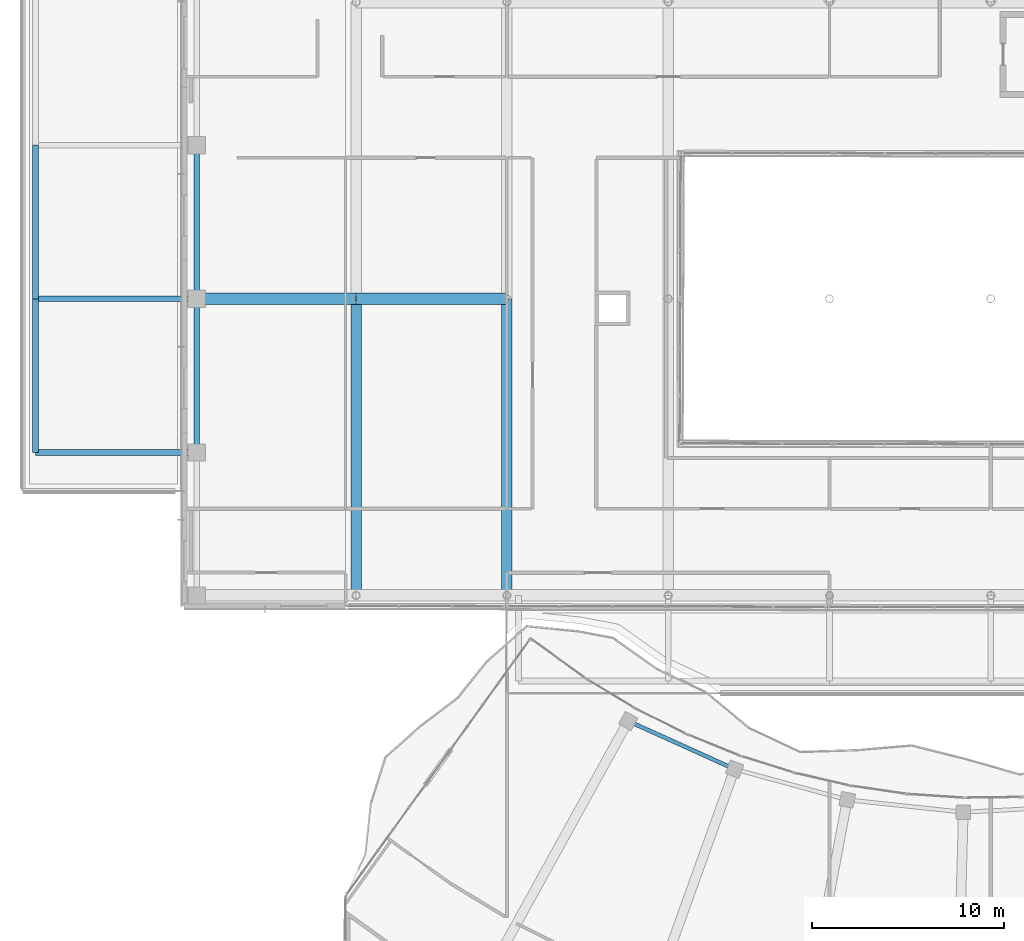
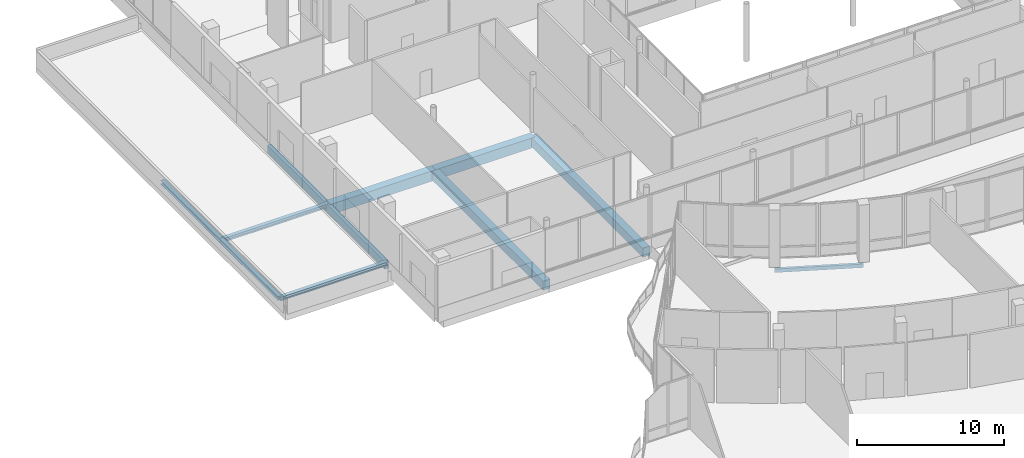
# One storey, part 30 of 168: 11 beams.
"""IFC4 building model written with IfcOpenShell, lengths in metres."""

import ifcopenshell
import ifcopenshell.guid

model = None  # the IFC model being written
_history = None  # IfcOwnerHistory: only IFC2X3 demands one
_inside = {}  # id of a spatial element -> (the spatial element, [elements in it])
_under = {}  # id of a project, library or spatial element -> (it, [spatial elements below it])
_declared = {}  # id of a project -> (the project, [libraries it declares])
_typed = {}  # id of a type object -> (the type object, [elements of that type])
_made_of = {}  # id of a material, layer set ... -> (it, [elements and type objects made of it])


def new_model(schema):
    """Start an empty IFC model of exactly this schema.

    Asked for "IFC4X3", IfcOpenShell would pick the latest addendum, in which some entities
    have other attributes; the version numbers below select the first issue.
    IFC2X3 requires an IfcOwnerHistory on every rooted entity: one is made here for all.
    """
    global model, _history
    if schema == "IFC4X3":
        model = ifcopenshell.file(schema_version=(4, 3, 0, 0))
    else:
        model = ifcopenshell.file(schema=schema)
    _inside.clear()
    _under.clear()
    _declared.clear()
    _typed.clear()
    _made_of.clear()
    _history = None
    if model.schema == "IFC2X3":
        org = make("IfcOrganization", Name="unknown")
        user = make(
            "IfcPersonAndOrganization",
            ThePerson=make("IfcPerson", FamilyName="unknown"),
            TheOrganization=org,
        )
        app = make(
            "IfcApplication",
            ApplicationDeveloper=org,
            Version="unknown",
            ApplicationFullName="unknown",
            ApplicationIdentifier="unknown",
        )
        _history = make(
            "IfcOwnerHistory",
            OwningUser=user,
            OwningApplication=app,
            ChangeAction="ADDED",
            CreationDate=0,
        )
    return model


def make(cls, **values):
    """One entity of the class cls with the attributes given. An attribute that is None is left unset."""
    return model.create_entity(
        cls, **{name: value for name, value in values.items() if value is not None}
    )


def rooted(cls, **values):
    """An entity with a GlobalId (a new one), such as an element, a storey or a relation."""
    return make(cls, GlobalId=ifcopenshell.guid.new(), OwnerHistory=_history, **values)


def si_unit(unit_type, name, prefix=None):
    """IfcSIUnit, for example si_unit("LENGTHUNIT", "METRE", prefix="MILLI")."""
    return make("IfcSIUnit", UnitType=unit_type, Prefix=prefix, Name=name)


def assignment(units):
    """IfcUnitAssignment: the units of a project."""
    return None if units is None else make("IfcUnitAssignment", Units=units)


def point(xyz):
    """IfcCartesianPoint."""
    return None if xyz is None else make("IfcCartesianPoint", Coordinates=xyz)


def direction(xyz):
    """IfcDirection."""
    return None if xyz is None else make("IfcDirection", DirectionRatios=xyz)


def frame(location, z_axis=None, x_axis=None):
    """IfcAxis2Placement3D, a coordinate frame: its origin and axes. An axis left out is left unset."""
    return make(
        "IfcAxis2Placement3D",
        Location=point(location),
        Axis=direction(z_axis),
        RefDirection=direction(x_axis),
    )


def frame_2d(location, x_axis=None):
    """IfcAxis2Placement2D, a coordinate frame in the plane: its origin and x axis."""
    return make(
        "IfcAxis2Placement2D", Location=point(location), RefDirection=direction(x_axis)
    )


def origin():
    """The frame at (0, 0, 0) with its axes left unset."""
    return frame((0.0, 0.0, 0.0))


def origin_2d():
    """The frame at (0, 0) in the plane with its x axis left unset."""
    return frame_2d((0.0, 0.0))


def place(relative_to, where):
    """IfcLocalPlacement: puts the frame where relative to a parent placement (None: the world)."""
    return make(
        "IfcLocalPlacement", PlacementRelTo=relative_to, RelativePlacement=where
    )


def context(
    kind, dimensions, precision=None, world=None, true_north=None, identifier=None
):
    """IfcGeometricRepresentationContext, for example the 3D "Model" context."""
    return make(
        "IfcGeometricRepresentationContext",
        ContextIdentifier=identifier,
        ContextType=kind,
        CoordinateSpaceDimension=dimensions,
        Precision=precision,
        WorldCoordinateSystem=world,
        TrueNorth=true_north,
    )


def subcontext(parent, identifier, kind, view, scale=None):
    """IfcGeometricRepresentationSubContext, for example "Body" below "Model"."""
    return make(
        "IfcGeometricRepresentationSubContext",
        ContextIdentifier=identifier,
        ContextType=kind,
        ParentContext=parent,
        TargetScale=scale,
        TargetView=view,
    )


def project(units=None, contexts=None):
    """IfcProject with its units and contexts."""
    return rooted(
        "IfcProject",
        Name="project",
        RepresentationContexts=contexts,
        UnitsInContext=assignment(units),
    )


def spatial(cls, under=None, at=None, **own):
    """A site, building, storey or space (cls), placed at a placement, below another one or the project."""
    s = rooted(cls, ObjectPlacement=at, **own)
    if under is not None:
        _under.setdefault(under.id(), (under, []))[1].append(s)
    return s


def profile(cls, at=None, kind="AREA", **sizes):
    """A parametric profile (cls). Its sizes go by their IFC names, for example OverallWidth=200.0."""
    return make(cls, ProfileType=kind, Position=at, **sizes)


def rectangle(**sizes):
    """IfcRectangleProfileDef."""
    return profile("IfcRectangleProfileDef", **sizes)


def hollow_rectangle(**sizes):
    """IfcRectangleHollowProfileDef."""
    return profile("IfcRectangleHollowProfileDef", **sizes)


def i_section(**sizes):
    """IfcIShapeProfileDef."""
    return profile("IfcIShapeProfileDef", **sizes)


def extrude(swept, where, along, depth):
    """IfcExtrudedAreaSolid: the profile swept, set in the frame where, extruded along a direction by depth."""
    return make(
        "IfcExtrudedAreaSolid",
        SweptArea=swept,
        Position=where,
        ExtrudedDirection=direction(along),
        Depth=depth,
    )


def shape(context_of_items, identifier, shape_type, items):
    """IfcShapeRepresentation: the items that make up one representation, for example the "Body"."""
    return make(
        "IfcShapeRepresentation",
        ContextOfItems=context_of_items,
        RepresentationIdentifier=identifier,
        RepresentationType=shape_type,
        Items=items,
    )


def material(Name=None, Category=None):
    """IfcMaterial."""
    return make("IfcMaterial", Name=Name, Category=Category)


def material_profile(
    of_material, cross_section, Name=None, Category=None, Priority=None
):
    """IfcMaterialProfile: a cross section and its material."""
    return make(
        "IfcMaterialProfile",
        Name=Name,
        Material=of_material,
        Profile=cross_section,
        Priority=Priority,
        Category=Category,
    )


def profile_set(profiles, Name=None, composite=None):
    """IfcMaterialProfileSet."""
    return make(
        "IfcMaterialProfileSet",
        Name=Name,
        MaterialProfiles=profiles,
        CompositeProfile=composite,
    )


def made_of(thing, what):
    """Note that an element or type object is made of a material, layer set ...; save() writes the relation."""
    if what is not None:
        _made_of.setdefault(what.id(), (what, []))[1].append(thing)
    return thing


def type_object(cls, material=None, **own):
    """A type object (cls), such as IfcWallType, which elements share."""
    return made_of(rooted(cls, **own), material)


def element(
    cls,
    number,
    at=None,
    inside=None,
    cuts=None,
    type_object=None,
    material=None,
    context=None,
    identifier="Body",
    shape_type=None,
    held_by="IfcProductDefinitionShape",
    body=None,
    shapes=None,
    **own,
):
    """One element of the class cls, such as IfcWall. Its Tag is "e" and its number.

    at: its placement. inside: the storey or other place that contains it. cuts: it is an
    opening in that element (IfcRelVoidsElement). A single representation is given by context,
    identifier, shape_type and body (its items); several are given by shapes. held_by: the class
    of the entity that holds the representations. save() writes the other relations.
    """
    e = rooted(cls, Tag="e%d" % number, ObjectPlacement=at, **own)
    if body is not None:
        shapes = [shape(context, identifier, shape_type, body)]
    if shapes is not None:
        e.Representation = make(held_by, Representations=shapes)
    if inside is not None:
        _inside.setdefault(inside.id(), (inside, []))[1].append(e)
    if cuts is not None:
        rooted(
            "IfcRelVoidsElement", RelatingBuildingElement=cuts, RelatedOpeningElement=e
        )
    if type_object is not None:
        _typed.setdefault(type_object.id(), (type_object, []))[1].append(e)
    return made_of(e, material)


def aggregate(whole, parts):
    """IfcRelAggregates: a whole, such as a stair, and the parts it consists of."""
    return rooted("IfcRelAggregates", RelatingObject=whole, RelatedObjects=parts)


def save(model, path):
    """Write the relations noted so far, then the file.

    IfcRelAggregates (storeys below a building ...), IfcRelContainedInSpatialStructure (elements
    in a storey), IfcRelDefinesByType, IfcRelAssociatesMaterial and IfcRelDeclares: one each for
    every whole, place, type object, material and project.
    """
    for whole, parts in _under.values():
        aggregate(whole, parts)
    for where, things in _inside.values():
        rooted(
            "IfcRelContainedInSpatialStructure",
            RelatedElements=things,
            RelatingStructure=where,
        )
    for kind, things in _typed.values():
        rooted("IfcRelDefinesByType", RelatedObjects=things, RelatingType=kind)
    for what, things in _made_of.values():
        rooted("IfcRelAssociatesMaterial", RelatedObjects=things, RelatingMaterial=what)
    for by, libraries in _declared.values():
        rooted("IfcRelDeclares", RelatingContext=by, RelatedDefinitions=libraries)
    model.write(path)


model = new_model("IFC4")

# Units and contexts
model_context = context("Model", 3, precision=1e-05, world=origin(), true_north=direction((0.0, 1.0)))
body_context = subcontext(model_context, "Body", "Model", "MODEL_VIEW")
ifc_project = project(units=[si_unit("LENGTHUNIT", "METRE"), si_unit("AREAUNIT", "SQUARE_METRE"), si_unit("VOLUMEUNIT", "CUBIC_METRE"), si_unit("PLANEANGLEUNIT", "RADIAN"), si_unit("MASSUNIT", "GRAM", prefix="KILO")], contexts=[model_context])

# Site, building, storey
site_placement = place(None, origin())
site = spatial("IfcSite", under=ifc_project, at=site_placement, CompositionType="ELEMENT")
building_placement = place(site_placement, origin())
building = spatial("IfcBuilding", under=site, at=building_placement, Name="Selatvlak General Hospital", CompositionType="ELEMENT")
storey_placement = place(building_placement, frame((0.0, 0.0, 5.39990234375)))
storey = spatial("IfcBuildingStorey", under=building, at=storey_placement, Name="L01", CompositionType="ELEMENT", Elevation=5.39990234375)

# Beams
ifc_material_1 = material(Name="Steel S355", Category="steel")
ifc_material_profile_1 = material_profile(ifc_material_1, i_section(OverallWidth=0.300048828125, OverallDepth=0.320068359375, WebThickness=0.011474609375, FlangeThickness=0.0205078125, at=origin_2d()), Name="HEB 320")
ifc_profile_set_1 = profile_set([ifc_material_profile_1], Name="Steel S355")
beam_type_1 = type_object("IfcBeamType", Name="BM-CAN", PredefinedType="BEAM", material=ifc_profile_set_1)
for number, where, z_axis, x_axis, name in (
    (1, (6.64990234375, 60.0, -0.47998046875), (0.0, 1.0, 0.0), (-1.0, 0.0, 0.0), "Beam BMR-L01-2930"),
    (2, (6.64990234375, 68.0, -0.47998046875), (0.0, 1.0, 0.0), (-1.0, 0.0, 0.0), "Beam BMR-L01-2931"),
):
    element("IfcBeam", number, at=place(storey_placement, frame(where, z_axis=z_axis, x_axis=x_axis)), inside=storey, type_object=beam_type_1, Name=name, PredefinedType="BEAM", context=body_context, shape_type="SweptSolid", body=[
        extrude(i_section(OverallWidth=0.300048828125, OverallDepth=0.320068359375, WebThickness=0.011474609375, FlangeThickness=0.0205078125, at=origin_2d()), origin(), (0.0, 0.0, 1.0), 8.0),
    ])
for number, where, z_axis, x_axis, name in (
    (3, (6.64990234375, 60.0, -0.47998046875), (1.0, 0.0, 0.0), (0.0, 1.0, 0.0), "Beam BMR-L01-2934"),
    (4, (6.64990234375, 68.0, -0.47998046875), (1.0, 0.0, 0.0), (0.0, 1.0, 0.0), "Beam BMR-L01-2935"),
):
    element("IfcBeam", number, at=place(storey_placement, frame(where, z_axis=z_axis, x_axis=x_axis)), inside=storey, type_object=beam_type_1, Name=name, PredefinedType="BEAM", context=body_context, shape_type="SweptSolid", body=[
        extrude(i_section(OverallWidth=0.300048828125, OverallDepth=0.320068359375, WebThickness=0.011474609375, FlangeThickness=0.0205078125, at=origin_2d()), origin(), (0.0, 0.0, 1.0), 8.400146484375),
    ])
ifc_material_2 = material(Name="Concrete C40/50", Category="concrete")
ifc_material_profile_2 = material_profile(ifc_material_2, rectangle(XDim=0.60009765625, YDim=0.85009765625, at=origin_2d()), Name="RC-BM 600x850")
ifc_profile_set_2 = profile_set([ifc_material_profile_2], Name="Concrete C40/50")
beam_type_2 = type_object("IfcBeamType", Name="BM-G01", PredefinedType="BEAM", material=ifc_profile_set_2)
beam_1_placement = place(storey_placement, frame((15.050048828125, 68.0, -0.744873046875), z_axis=(1.0, 0.0, 0.0), x_axis=(0.0, 1.0, 0.0)))
element("IfcBeam", 5, at=beam_1_placement, inside=storey, type_object=beam_type_2, Name="Beam BMR-L01-0399", PredefinedType="BEAM", context=body_context, shape_type="SweptSolid", body=[
    extrude(rectangle(XDim=0.60009765625, YDim=0.85009765625, at=origin_2d()), origin(), (0.0, 0.0, 1.0), 8.300048828125),
])
beam_2_placement = place(storey_placement, frame((23.35009765625, 68.0, -0.744873046875), z_axis=(1.0, 0.0, 0.0), x_axis=(0.0, 1.0, 0.0)))
element("IfcBeam", 6, at=beam_2_placement, inside=storey, type_object=beam_type_2, Name="Beam BMR-L01-0400", PredefinedType="BEAM", context=body_context, shape_type="SweptSolid", body=[
    extrude(rectangle(XDim=0.60009765625, YDim=0.85009765625, at=origin_2d()), origin(), (0.0, 0.0, 1.0), 7.849853515625),
])
ifc_material_profile_3 = material_profile(ifc_material_2, rectangle(XDim=0.550048828125, YDim=0.75, at=origin_2d()), Name="RC-BM 550x750")
ifc_profile_set_3 = profile_set([ifc_material_profile_3], Name="Concrete C40/50")
beam_type_3 = type_object("IfcBeamType", Name="BM-G02", PredefinedType="BEAM", material=ifc_profile_set_3)
for number, where, z_axis, x_axis, name in (
    (7, (23.35009765625, 52.550048828125, -0.69482421875), (0.0, 1.0, 0.0), (-1.0, 0.0, 0.0), "Beam BMR-L01-0550"),
    (8, (31.199951171875, 52.550048828125, -0.69482421875), (0.0, 1.0, 0.0), (-1.0, 0.0, 0.0), "Beam BMR-L01-0553"),
):
    element("IfcBeam", number, at=place(storey_placement, frame(where, z_axis=z_axis, x_axis=x_axis)), inside=storey, type_object=beam_type_3, Name=name, PredefinedType="BEAM", context=body_context, shape_type="SweptSolid", body=[
        extrude(rectangle(XDim=0.550048828125, YDim=0.75, at=origin_2d()), origin(), (0.0, 0.0, 1.0), 15.449951171875),
    ])
ifc_material_profile_4 = material_profile(ifc_material_2, rectangle(XDim=0.300048828125, YDim=0.64990234375, at=origin_2d()), Name="RC-SP 300x650")
ifc_profile_set_4 = profile_set([ifc_material_profile_4], Name="Concrete C40/50")
beam_type_4 = type_object("IfcBeamType", Name="BM-SP1", PredefinedType="SPANDREL", material=ifc_profile_set_4)
for number, where, z_axis, x_axis, name in (
    (9, (15.050048828125, 60.0, -0.64501953125), (0.0, 1.0, 0.0), (-1.0, 0.0, 0.0), "Beam BMR-L01-0541"),
    (10, (15.050048828125, 68.0, -0.64501953125), (0.0, 1.0, 0.0), (-1.0, 0.0, 0.0), "Beam BMR-L01-0542"),
):
    element("IfcBeam", number, at=place(storey_placement, frame(where, z_axis=z_axis, x_axis=x_axis)), inside=storey, type_object=beam_type_4, Name=name, PredefinedType="SPANDREL", context=body_context, shape_type="SweptSolid", body=[
        extrude(rectangle(XDim=0.300048828125, YDim=0.64990234375, at=origin_2d()), origin(), (0.0, 0.0, 1.0), 8.0),
    ])
ifc_material_profile_5 = material_profile(ifc_material_1, hollow_rectangle(XDim=0.199951171875, YDim=0.300048828125, WallThickness=0.011962890625, at=origin_2d()), Name="RHS 300x200x12")
ifc_profile_set_5 = profile_set([ifc_material_profile_5], Name="Steel S355")
beam_type_5 = type_object("IfcBeamType", Name="BM-SP3", PredefinedType="SPANDREL", material=ifc_profile_set_5)
beam_3_placement = place(storey_placement, frame((37.52099609375, 46.009033203125, -0.469970703125), z_axis=(0.911255847368, -0.411840722413, 0.0), x_axis=(0.411840722413, 0.911255847368, 0.0)))
element("IfcBeam", 11, at=beam_3_placement, inside=storey, type_object=beam_type_5, Name="Beam BMR-L01-0736", PredefinedType="SPANDREL", context=body_context, shape_type="SweptSolid", body=[
    extrude(hollow_rectangle(XDim=0.199951171875, YDim=0.300048828125, WallThickness=0.011962890625, at=origin_2d()), origin(), (0.0, 0.0, 1.0), 6.077392578125),
])

save(model, "model.ifc")
